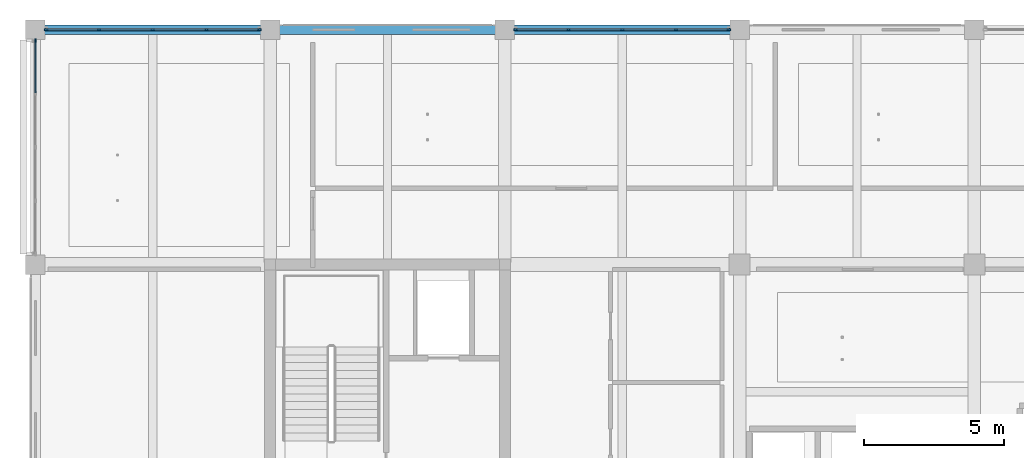
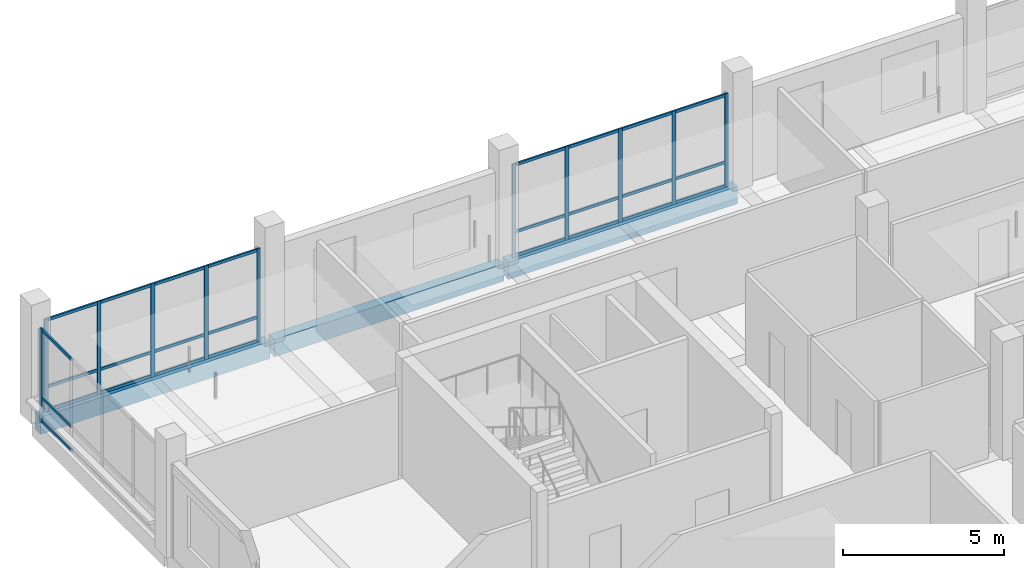
# One storey, part 8 of 35: 38 members, 3 beams, 3 elements without a shape of their own.
"""IFC4 building model written with IfcOpenShell, lengths in metres."""

from ifc_helpers import new_model, si_unit, direction, frame, origin, origin_2d, place, context, subcontext, project, spatial, rectangle, extrude, material, layer, layer_set, material_profile, profile_set, type_object, element, aggregate, save


model = new_model("IFC4")

# Units and contexts
model_context = context("Model", 3, precision=1e-05, world=origin(), true_north=direction((0.0, 1.0)))
body_context = subcontext(model_context, "Body", "Model", "MODEL_VIEW")
ifc_project = project(units=[si_unit("LENGTHUNIT", "METRE"), si_unit("AREAUNIT", "SQUARE_METRE"), si_unit("VOLUMEUNIT", "CUBIC_METRE"), si_unit("PLANEANGLEUNIT", "RADIAN"), si_unit("MASSUNIT", "GRAM", prefix="KILO")], contexts=[model_context])

# Site, building, storey
site_placement = place(None, origin())
site = spatial("IfcSite", under=ifc_project, at=site_placement, CompositionType="ELEMENT")
building_placement = place(site_placement, origin())
building = spatial("IfcBuilding", under=site, at=building_placement, Name="Telukmera Botanical Conservatory", CompositionType="ELEMENT")
storey_placement = place(building_placement, frame((0.0, 0.0, 46.5)))
storey = spatial("IfcBuildingStorey", under=building, at=storey_placement, Name="L10", CompositionType="ELEMENT", Elevation=46.5)

# Beams
ifc_material_1 = material(Name="Precast concrete C40/50", Category="concrete")
ifc_material_profile_1 = material_profile(ifc_material_1, rectangle(XDim=0.35009765625, YDim=0.64990234375, at=origin_2d()), Name="PC 350x650")
ifc_profile_set_1 = profile_set([ifc_material_profile_1], Name="Precast concrete C40/50")
beam_type = type_object("IfcBeamType", Name="Beam_SP3", PredefinedType="SPANDREL", material=ifc_profile_set_1)
beam_1_placement = place(storey_placement, frame((50.47998046875, 42.800048828125, -0.324951171875), z_axis=(1.0, 0.0, 0.0), x_axis=(0.0, 1.0, 0.0)))
element("IfcBeam", 1, at=beam_1_placement, inside=storey, type_object=beam_type, Name="Tower Grid Beam L10", PredefinedType="SPANDREL", context=body_context, shape_type="SweptSolid", body=[
    extrude(rectangle(XDim=0.35009765625, YDim=0.64990234375, at=origin_2d()), origin(), (0.0, 0.0, 1.0), 8.239990234375),
])
beam_2_placement = place(storey_placement, frame((58.8798828125, 42.800048828125, -0.324951171875), z_axis=(1.0, 0.0, 0.0), x_axis=(0.0, 1.0, 0.0)))
element("IfcBeam", 2, at=beam_2_placement, inside=storey, type_object=beam_type, Name="Tower Grid Beam L10", PredefinedType="SPANDREL", context=body_context, shape_type="SweptSolid", body=[
    extrude(rectangle(XDim=0.35009765625, YDim=0.64990234375, at=origin_2d()), origin(), (0.0, 0.0, 1.0), 8.240234375),
])
beam_3_placement = place(storey_placement, frame((67.280029296875, 42.800048828125, -0.324951171875), z_axis=(1.0, 0.0, 0.0), x_axis=(0.0, 1.0, 0.0)))
element("IfcBeam", 3, at=beam_3_placement, inside=storey, type_object=beam_type, Name="Tower Grid Beam L10", PredefinedType="SPANDREL", context=body_context, shape_type="SweptSolid", body=[
    extrude(rectangle(XDim=0.35009765625, YDim=0.64990234375, at=origin_2d()), origin(), (0.0, 0.0, 1.0), 8.239990234375),
])

# Curtain wall, members
ifc_material_2 = material(Name="Anodised aluminium 6063-T6", Category="aluminium")
ifc_layer = layer(ifc_material_2, 0.179931640625)
ifc_layer_set = layer_set([ifc_layer], Name="Anodised aluminium 6063-T6")
curtain_wall_type = type_object("IfcCurtainWallType", Name="Tower Research Laboratory Unitised Curtain Wall", PredefinedType="USERDEFINED", material=ifc_layer_set)
curtain_wall_1_placement = place(storey_placement, origin())
curtain_wall_1 = element("IfcCurtainWall", 4, at=curtain_wall_1_placement, inside=storey, type_object=curtain_wall_type, Name="Unitised Curtain Wall CW15 V4:L10:N1", ObjectType="UNITISED CURTAIN WALL", PredefinedType="USERDEFINED")
ifc_material_profile_2 = material_profile(ifc_material_2, rectangle(XDim=0.06005859375, YDim=0.139892578125, at=origin_2d()), Name="ALU MULL 60x140")
ifc_profile_set_2 = profile_set([ifc_material_profile_2], Name="Anodised aluminium 6063-T6")
member_type_1 = type_object("IfcMemberType", Name="Curtain Wall Extruded Mullion 60x140", PredefinedType="MULLION", material=ifc_profile_set_2)
member_1_placement = place(storey_placement, frame((50.781982421875, 42.800048828125, 0.0), z_axis=(0.0, 0.0, 1.0), x_axis=(0.0, 1.0, 0.0)))
member_1 = element("IfcMember", 5, at=member_1_placement, type_object=member_type_1, Name="CW15 mullion 1", PredefinedType="MULLION", context=body_context, shape_type="SweptSolid", body=[
    extrude(rectangle(XDim=0.06005859375, YDim=0.139892578125, at=origin_2d()), origin(), (0.0, 0.0, 1.0), 3.550048828125),
])
member_2_placement = place(storey_placement, frame((52.676025390625, 42.800048828125, 0.0), z_axis=(0.0, 0.0, 1.0), x_axis=(0.0, 1.0, 0.0)))
member_2 = element("IfcMember", 6, at=member_2_placement, type_object=member_type_1, Name="CW15 mullion 2", PredefinedType="MULLION", context=body_context, shape_type="SweptSolid", body=[
    extrude(rectangle(XDim=0.06005859375, YDim=0.139892578125, at=origin_2d()), origin(), (0.0, 0.0, 1.0), 3.550048828125),
])
member_3_placement = place(storey_placement, frame((54.60009765625, 42.800048828125, 0.0), z_axis=(0.0, 0.0, 1.0), x_axis=(0.0, 1.0, 0.0)))
member_3 = element("IfcMember", 7, at=member_3_placement, type_object=member_type_1, Name="CW15 mullion 3", PredefinedType="MULLION", context=body_context, shape_type="SweptSolid", body=[
    extrude(rectangle(XDim=0.06005859375, YDim=0.139892578125, at=origin_2d()), origin(), (0.0, 0.0, 1.0), 3.550048828125),
])
member_4_placement = place(storey_placement, frame((56.52392578125, 42.800048828125, 0.0), z_axis=(0.0, 0.0, 1.0), x_axis=(0.0, 1.0, 0.0)))
member_4 = element("IfcMember", 8, at=member_4_placement, type_object=member_type_1, Name="CW15 mullion 4", PredefinedType="MULLION", context=body_context, shape_type="SweptSolid", body=[
    extrude(rectangle(XDim=0.06005859375, YDim=0.139892578125, at=origin_2d()), origin(), (0.0, 0.0, 1.0), 3.550048828125),
])
member_5_placement = place(storey_placement, frame((58.41796875, 42.800048828125, 0.0), z_axis=(0.0, 0.0, 1.0), x_axis=(0.0, 1.0, 0.0)))
member_5 = element("IfcMember", 9, at=member_5_placement, type_object=member_type_1, Name="CW15 mullion 5", PredefinedType="MULLION", context=body_context, shape_type="SweptSolid", body=[
    extrude(rectangle(XDim=0.06005859375, YDim=0.139892578125, at=origin_2d()), origin(), (0.0, 0.0, 1.0), 3.550048828125),
])

curtain_wall_2_placement = place(storey_placement, origin())
curtain_wall_2 = element("IfcCurtainWall", 10, at=curtain_wall_2_placement, inside=storey, type_object=curtain_wall_type, Name="Unitised Curtain Wall CW15 V4:L10:N3", ObjectType="UNITISED CURTAIN WALL", PredefinedType="USERDEFINED")
member_6_placement = place(storey_placement, frame((67.58203125, 42.800048828125, 0.0), z_axis=(0.0, 0.0, 1.0), x_axis=(0.0, 1.0, 0.0)))
member_6 = element("IfcMember", 11, at=member_6_placement, type_object=member_type_1, Name="CW15 mullion 1", PredefinedType="MULLION", context=body_context, shape_type="SweptSolid", body=[
    extrude(rectangle(XDim=0.06005859375, YDim=0.139892578125, at=origin_2d()), origin(), (0.0, 0.0, 1.0), 3.550048828125),
])
member_7_placement = place(storey_placement, frame((69.47607421875, 42.800048828125, 0.0), z_axis=(0.0, 0.0, 1.0), x_axis=(0.0, 1.0, 0.0)))
member_7 = element("IfcMember", 12, at=member_7_placement, type_object=member_type_1, Name="CW15 mullion 2", PredefinedType="MULLION", context=body_context, shape_type="SweptSolid", body=[
    extrude(rectangle(XDim=0.06005859375, YDim=0.139892578125, at=origin_2d()), origin(), (0.0, 0.0, 1.0), 3.550048828125),
])
member_8_placement = place(storey_placement, frame((71.39990234375, 42.800048828125, 0.0), z_axis=(0.0, 0.0, 1.0), x_axis=(0.0, 1.0, 0.0)))
member_8 = element("IfcMember", 13, at=member_8_placement, type_object=member_type_1, Name="CW15 mullion 3", PredefinedType="MULLION", context=body_context, shape_type="SweptSolid", body=[
    extrude(rectangle(XDim=0.06005859375, YDim=0.139892578125, at=origin_2d()), origin(), (0.0, 0.0, 1.0), 3.550048828125),
])
member_9_placement = place(storey_placement, frame((73.323974609375, 42.800048828125, 0.0), z_axis=(0.0, 0.0, 1.0), x_axis=(0.0, 1.0, 0.0)))
member_9 = element("IfcMember", 14, at=member_9_placement, type_object=member_type_1, Name="CW15 mullion 4", PredefinedType="MULLION", context=body_context, shape_type="SweptSolid", body=[
    extrude(rectangle(XDim=0.06005859375, YDim=0.139892578125, at=origin_2d()), origin(), (0.0, 0.0, 1.0), 3.550048828125),
])
member_10_placement = place(storey_placement, frame((75.218017578125, 42.800048828125, 0.0), z_axis=(0.0, 0.0, 1.0), x_axis=(0.0, 1.0, 0.0)))
member_10 = element("IfcMember", 15, at=member_10_placement, type_object=member_type_1, Name="CW15 mullion 5", PredefinedType="MULLION", context=body_context, shape_type="SweptSolid", body=[
    extrude(rectangle(XDim=0.06005859375, YDim=0.139892578125, at=origin_2d()), origin(), (0.0, 0.0, 1.0), 3.550048828125),
])

# Curtain wall, member
curtain_wall_3_placement = place(storey_placement, origin())
curtain_wall_3 = element("IfcCurtainWall", 16, at=curtain_wall_3_placement, inside=storey, type_object=curtain_wall_type, Name="Unitised Curtain Wall CW15 V4:L10:W4", ObjectType="UNITISED CURTAIN WALL", PredefinedType="USERDEFINED")
member_11_placement = place(storey_placement, frame((50.39990234375, 42.41796875, 0.0), z_axis=(0.0, 0.0, 1.0), x_axis=(-1.0, 0.0, 0.0)))
member_11 = element("IfcMember", 17, at=member_11_placement, type_object=member_type_1, Name="CW15 mullion 5", PredefinedType="MULLION", context=body_context, shape_type="SweptSolid", body=[
    extrude(rectangle(XDim=0.06005859375, YDim=0.139892578125, at=origin_2d()), origin(), (0.0, 0.0, 1.0), 3.550048828125),
])

# Member
ifc_material_profile_3 = material_profile(ifc_material_2, rectangle(XDim=0.06005859375, YDim=0.110107421875, at=origin_2d()), Name="ALU TRAN 60x110")
ifc_profile_set_3 = profile_set([ifc_material_profile_3], Name="Anodised aluminium 6063-T6")
member_type_2 = type_object("IfcMemberType", Name="Curtain Wall Extruded Transom 60x110", PredefinedType="USERDEFINED", material=ifc_profile_set_3)
member_12_placement = place(storey_placement, frame((50.81201171875, 42.800048828125, 0.054931640625), z_axis=(1.0, 0.0, 0.0), x_axis=(0.0, 1.0, 0.0)))
member_12 = element("IfcMember", 18, at=member_12_placement, type_object=member_type_2, Name="CW15 transom 1.1", ObjectType="TRANSOM", PredefinedType="USERDEFINED", context=body_context, shape_type="SweptSolid", body=[
    extrude(rectangle(XDim=0.06005859375, YDim=0.110107421875, at=origin_2d()), origin(), (0.0, 0.0, 1.0), 1.833984375),
])

member_13_placement = place(storey_placement, frame((50.81201171875, 42.800048828125, 0.949951171875), z_axis=(1.0, 0.0, 0.0), x_axis=(0.0, 1.0, 0.0)))
member_13 = element("IfcMember", 19, at=member_13_placement, type_object=member_type_2, Name="CW15 transom 1.2", ObjectType="TRANSOM", PredefinedType="USERDEFINED", context=body_context, shape_type="SweptSolid", body=[
    extrude(rectangle(XDim=0.06005859375, YDim=0.110107421875, at=origin_2d()), origin(), (0.0, 0.0, 1.0), 1.833984375),
])

member_14_placement = place(storey_placement, frame((50.81201171875, 42.800048828125, 3.4951171875), z_axis=(1.0, 0.0, 0.0), x_axis=(0.0, 1.0, 0.0)))
member_14 = element("IfcMember", 20, at=member_14_placement, type_object=member_type_2, Name="CW15 transom 1.3", ObjectType="TRANSOM", PredefinedType="USERDEFINED", context=body_context, shape_type="SweptSolid", body=[
    extrude(rectangle(XDim=0.06005859375, YDim=0.110107421875, at=origin_2d()), origin(), (0.0, 0.0, 1.0), 1.833984375),
])

member_15_placement = place(storey_placement, frame((52.7060546875, 42.800048828125, 0.054931640625), z_axis=(1.0, 0.0, 0.0), x_axis=(0.0, 1.0, 0.0)))
member_15 = element("IfcMember", 21, at=member_15_placement, type_object=member_type_2, Name="CW15 transom 2.1", ObjectType="TRANSOM", PredefinedType="USERDEFINED", context=body_context, shape_type="SweptSolid", body=[
    extrude(rectangle(XDim=0.06005859375, YDim=0.110107421875, at=origin_2d()), origin(), (0.0, 0.0, 1.0), 1.864013671875),
])

member_16_placement = place(storey_placement, frame((52.7060546875, 42.800048828125, 0.949951171875), z_axis=(1.0, 0.0, 0.0), x_axis=(0.0, 1.0, 0.0)))
member_16 = element("IfcMember", 22, at=member_16_placement, type_object=member_type_2, Name="CW15 transom 2.2", ObjectType="TRANSOM", PredefinedType="USERDEFINED", context=body_context, shape_type="SweptSolid", body=[
    extrude(rectangle(XDim=0.06005859375, YDim=0.110107421875, at=origin_2d()), origin(), (0.0, 0.0, 1.0), 1.864013671875),
])

member_17_placement = place(storey_placement, frame((52.7060546875, 42.800048828125, 3.4951171875), z_axis=(1.0, 0.0, 0.0), x_axis=(0.0, 1.0, 0.0)))
member_17 = element("IfcMember", 23, at=member_17_placement, type_object=member_type_2, Name="CW15 transom 2.3", ObjectType="TRANSOM", PredefinedType="USERDEFINED", context=body_context, shape_type="SweptSolid", body=[
    extrude(rectangle(XDim=0.06005859375, YDim=0.110107421875, at=origin_2d()), origin(), (0.0, 0.0, 1.0), 1.864013671875),
])

member_18_placement = place(storey_placement, frame((54.6298828125, 42.800048828125, 0.054931640625), z_axis=(1.0, 0.0, 0.0), x_axis=(0.0, 1.0, 0.0)))
member_18 = element("IfcMember", 24, at=member_18_placement, type_object=member_type_2, Name="CW15 transom 3.1", ObjectType="TRANSOM", PredefinedType="USERDEFINED", context=body_context, shape_type="SweptSolid", body=[
    extrude(rectangle(XDim=0.06005859375, YDim=0.110107421875, at=origin_2d()), origin(), (0.0, 0.0, 1.0), 1.864013671875),
])

member_19_placement = place(storey_placement, frame((54.6298828125, 42.800048828125, 0.949951171875), z_axis=(1.0, 0.0, 0.0), x_axis=(0.0, 1.0, 0.0)))
member_19 = element("IfcMember", 25, at=member_19_placement, type_object=member_type_2, Name="CW15 transom 3.2", ObjectType="TRANSOM", PredefinedType="USERDEFINED", context=body_context, shape_type="SweptSolid", body=[
    extrude(rectangle(XDim=0.06005859375, YDim=0.110107421875, at=origin_2d()), origin(), (0.0, 0.0, 1.0), 1.864013671875),
])

member_20_placement = place(storey_placement, frame((54.6298828125, 42.800048828125, 3.4951171875), z_axis=(1.0, 0.0, 0.0), x_axis=(0.0, 1.0, 0.0)))
member_20 = element("IfcMember", 26, at=member_20_placement, type_object=member_type_2, Name="CW15 transom 3.3", ObjectType="TRANSOM", PredefinedType="USERDEFINED", context=body_context, shape_type="SweptSolid", body=[
    extrude(rectangle(XDim=0.06005859375, YDim=0.110107421875, at=origin_2d()), origin(), (0.0, 0.0, 1.0), 1.864013671875),
])

member_21_placement = place(storey_placement, frame((56.553955078125, 42.800048828125, 0.054931640625), z_axis=(1.0, 0.0, 0.0), x_axis=(0.0, 1.0, 0.0)))
member_21 = element("IfcMember", 27, at=member_21_placement, type_object=member_type_2, Name="CW15 transom 4.1", ObjectType="TRANSOM", PredefinedType="USERDEFINED", context=body_context, shape_type="SweptSolid", body=[
    extrude(rectangle(XDim=0.06005859375, YDim=0.110107421875, at=origin_2d()), origin(), (0.0, 0.0, 1.0), 1.833984375),
])

member_22_placement = place(storey_placement, frame((56.553955078125, 42.800048828125, 0.949951171875), z_axis=(1.0, 0.0, 0.0), x_axis=(0.0, 1.0, 0.0)))
member_22 = element("IfcMember", 28, at=member_22_placement, type_object=member_type_2, Name="CW15 transom 4.2", ObjectType="TRANSOM", PredefinedType="USERDEFINED", context=body_context, shape_type="SweptSolid", body=[
    extrude(rectangle(XDim=0.06005859375, YDim=0.110107421875, at=origin_2d()), origin(), (0.0, 0.0, 1.0), 1.833984375),
])

member_23_placement = place(storey_placement, frame((56.553955078125, 42.800048828125, 3.4951171875), z_axis=(1.0, 0.0, 0.0), x_axis=(0.0, 1.0, 0.0)))
member_23 = element("IfcMember", 29, at=member_23_placement, type_object=member_type_2, Name="CW15 transom 4.3", ObjectType="TRANSOM", PredefinedType="USERDEFINED", context=body_context, shape_type="SweptSolid", body=[
    extrude(rectangle(XDim=0.06005859375, YDim=0.110107421875, at=origin_2d()), origin(), (0.0, 0.0, 1.0), 1.833984375),
])

aggregate(curtain_wall_1, [member_1, member_2, member_3, member_4, member_5, member_12, member_13, member_14, member_15, member_16, member_17, member_18, member_19, member_20, member_21, member_22, member_23])

member_24_placement = place(storey_placement, frame((67.612060546875, 42.800048828125, 0.054931640625), z_axis=(1.0, 0.0, 0.0), x_axis=(0.0, 1.0, 0.0)))
member_24 = element("IfcMember", 30, at=member_24_placement, type_object=member_type_2, Name="CW15 transom 1.1", ObjectType="TRANSOM", PredefinedType="USERDEFINED", context=body_context, shape_type="SweptSolid", body=[
    extrude(rectangle(XDim=0.06005859375, YDim=0.110107421875, at=origin_2d()), origin(), (0.0, 0.0, 1.0), 1.833984375),
])

member_25_placement = place(storey_placement, frame((67.612060546875, 42.800048828125, 0.949951171875), z_axis=(1.0, 0.0, 0.0), x_axis=(0.0, 1.0, 0.0)))
member_25 = element("IfcMember", 31, at=member_25_placement, type_object=member_type_2, Name="CW15 transom 1.2", ObjectType="TRANSOM", PredefinedType="USERDEFINED", context=body_context, shape_type="SweptSolid", body=[
    extrude(rectangle(XDim=0.06005859375, YDim=0.110107421875, at=origin_2d()), origin(), (0.0, 0.0, 1.0), 1.833984375),
])

member_26_placement = place(storey_placement, frame((67.612060546875, 42.800048828125, 3.4951171875), z_axis=(1.0, 0.0, 0.0), x_axis=(0.0, 1.0, 0.0)))
member_26 = element("IfcMember", 32, at=member_26_placement, type_object=member_type_2, Name="CW15 transom 1.3", ObjectType="TRANSOM", PredefinedType="USERDEFINED", context=body_context, shape_type="SweptSolid", body=[
    extrude(rectangle(XDim=0.06005859375, YDim=0.110107421875, at=origin_2d()), origin(), (0.0, 0.0, 1.0), 1.833984375),
])

member_27_placement = place(storey_placement, frame((69.506103515625, 42.800048828125, 0.054931640625), z_axis=(1.0, 0.0, 0.0), x_axis=(0.0, 1.0, 0.0)))
member_27 = element("IfcMember", 33, at=member_27_placement, type_object=member_type_2, Name="CW15 transom 2.1", ObjectType="TRANSOM", PredefinedType="USERDEFINED", context=body_context, shape_type="SweptSolid", body=[
    extrude(rectangle(XDim=0.06005859375, YDim=0.110107421875, at=origin_2d()), origin(), (0.0, 0.0, 1.0), 1.864013671875),
])

member_28_placement = place(storey_placement, frame((69.506103515625, 42.800048828125, 0.949951171875), z_axis=(1.0, 0.0, 0.0), x_axis=(0.0, 1.0, 0.0)))
member_28 = element("IfcMember", 34, at=member_28_placement, type_object=member_type_2, Name="CW15 transom 2.2", ObjectType="TRANSOM", PredefinedType="USERDEFINED", context=body_context, shape_type="SweptSolid", body=[
    extrude(rectangle(XDim=0.06005859375, YDim=0.110107421875, at=origin_2d()), origin(), (0.0, 0.0, 1.0), 1.864013671875),
])

member_29_placement = place(storey_placement, frame((69.506103515625, 42.800048828125, 3.4951171875), z_axis=(1.0, 0.0, 0.0), x_axis=(0.0, 1.0, 0.0)))
member_29 = element("IfcMember", 35, at=member_29_placement, type_object=member_type_2, Name="CW15 transom 2.3", ObjectType="TRANSOM", PredefinedType="USERDEFINED", context=body_context, shape_type="SweptSolid", body=[
    extrude(rectangle(XDim=0.06005859375, YDim=0.110107421875, at=origin_2d()), origin(), (0.0, 0.0, 1.0), 1.864013671875),
])

member_30_placement = place(storey_placement, frame((71.429931640625, 42.800048828125, 0.054931640625), z_axis=(1.0, 0.0, 0.0), x_axis=(0.0, 1.0, 0.0)))
member_30 = element("IfcMember", 36, at=member_30_placement, type_object=member_type_2, Name="CW15 transom 3.1", ObjectType="TRANSOM", PredefinedType="USERDEFINED", context=body_context, shape_type="SweptSolid", body=[
    extrude(rectangle(XDim=0.06005859375, YDim=0.110107421875, at=origin_2d()), origin(), (0.0, 0.0, 1.0), 1.864013671875),
])

member_31_placement = place(storey_placement, frame((71.429931640625, 42.800048828125, 0.949951171875), z_axis=(1.0, 0.0, 0.0), x_axis=(0.0, 1.0, 0.0)))
member_31 = element("IfcMember", 37, at=member_31_placement, type_object=member_type_2, Name="CW15 transom 3.2", ObjectType="TRANSOM", PredefinedType="USERDEFINED", context=body_context, shape_type="SweptSolid", body=[
    extrude(rectangle(XDim=0.06005859375, YDim=0.110107421875, at=origin_2d()), origin(), (0.0, 0.0, 1.0), 1.864013671875),
])

member_32_placement = place(storey_placement, frame((71.429931640625, 42.800048828125, 3.4951171875), z_axis=(1.0, 0.0, 0.0), x_axis=(0.0, 1.0, 0.0)))
member_32 = element("IfcMember", 38, at=member_32_placement, type_object=member_type_2, Name="CW15 transom 3.3", ObjectType="TRANSOM", PredefinedType="USERDEFINED", context=body_context, shape_type="SweptSolid", body=[
    extrude(rectangle(XDim=0.06005859375, YDim=0.110107421875, at=origin_2d()), origin(), (0.0, 0.0, 1.0), 1.864013671875),
])

member_33_placement = place(storey_placement, frame((73.35400390625, 42.800048828125, 0.054931640625), z_axis=(1.0, 0.0, 0.0), x_axis=(0.0, 1.0, 0.0)))
member_33 = element("IfcMember", 39, at=member_33_placement, type_object=member_type_2, Name="CW15 transom 4.1", ObjectType="TRANSOM", PredefinedType="USERDEFINED", context=body_context, shape_type="SweptSolid", body=[
    extrude(rectangle(XDim=0.06005859375, YDim=0.110107421875, at=origin_2d()), origin(), (0.0, 0.0, 1.0), 1.833984375),
])

member_34_placement = place(storey_placement, frame((73.35400390625, 42.800048828125, 0.949951171875), z_axis=(1.0, 0.0, 0.0), x_axis=(0.0, 1.0, 0.0)))
member_34 = element("IfcMember", 40, at=member_34_placement, type_object=member_type_2, Name="CW15 transom 4.2", ObjectType="TRANSOM", PredefinedType="USERDEFINED", context=body_context, shape_type="SweptSolid", body=[
    extrude(rectangle(XDim=0.06005859375, YDim=0.110107421875, at=origin_2d()), origin(), (0.0, 0.0, 1.0), 1.833984375),
])

member_35_placement = place(storey_placement, frame((73.35400390625, 42.800048828125, 3.4951171875), z_axis=(1.0, 0.0, 0.0), x_axis=(0.0, 1.0, 0.0)))
member_35 = element("IfcMember", 41, at=member_35_placement, type_object=member_type_2, Name="CW15 transom 4.3", ObjectType="TRANSOM", PredefinedType="USERDEFINED", context=body_context, shape_type="SweptSolid", body=[
    extrude(rectangle(XDim=0.06005859375, YDim=0.110107421875, at=origin_2d()), origin(), (0.0, 0.0, 1.0), 1.833984375),
])

aggregate(curtain_wall_2, [member_6, member_7, member_8, member_9, member_10, member_24, member_25, member_26, member_27, member_28, member_29, member_30, member_31, member_32, member_33, member_34, member_35])

member_36_placement = place(storey_placement, frame((50.39990234375, 40.553955078125, 0.054931640625), z_axis=(0.0, 1.0, 0.0), x_axis=(-1.0, 0.0, 0.0)))
member_36 = element("IfcMember", 42, at=member_36_placement, type_object=member_type_2, Name="CW15 transom 4.1", ObjectType="TRANSOM", PredefinedType="USERDEFINED", context=body_context, shape_type="SweptSolid", body=[
    extrude(rectangle(XDim=0.06005859375, YDim=0.110107421875, at=origin_2d()), origin(), (0.0, 0.0, 1.0), 1.833984375),
])

member_37_placement = place(storey_placement, frame((50.39990234375, 40.553955078125, 0.949951171875), z_axis=(0.0, 1.0, 0.0), x_axis=(-1.0, 0.0, 0.0)))
member_37 = element("IfcMember", 43, at=member_37_placement, type_object=member_type_2, Name="CW15 transom 4.2", ObjectType="TRANSOM", PredefinedType="USERDEFINED", context=body_context, shape_type="SweptSolid", body=[
    extrude(rectangle(XDim=0.06005859375, YDim=0.110107421875, at=origin_2d()), origin(), (0.0, 0.0, 1.0), 1.833984375),
])

member_38_placement = place(storey_placement, frame((50.39990234375, 40.553955078125, 3.4951171875), z_axis=(0.0, 1.0, 0.0), x_axis=(-1.0, 0.0, 0.0)))
member_38 = element("IfcMember", 44, at=member_38_placement, type_object=member_type_2, Name="CW15 transom 4.3", ObjectType="TRANSOM", PredefinedType="USERDEFINED", context=body_context, shape_type="SweptSolid", body=[
    extrude(rectangle(XDim=0.06005859375, YDim=0.110107421875, at=origin_2d()), origin(), (0.0, 0.0, 1.0), 1.833984375),
])

aggregate(curtain_wall_3, [member_11, member_36, member_37, member_38])

save(model, "model.ifc")
